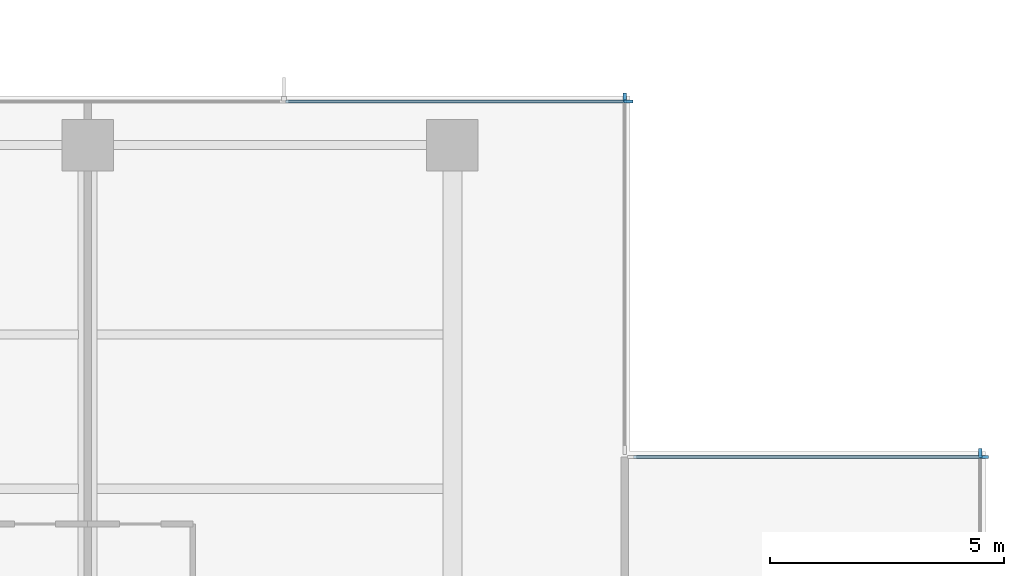
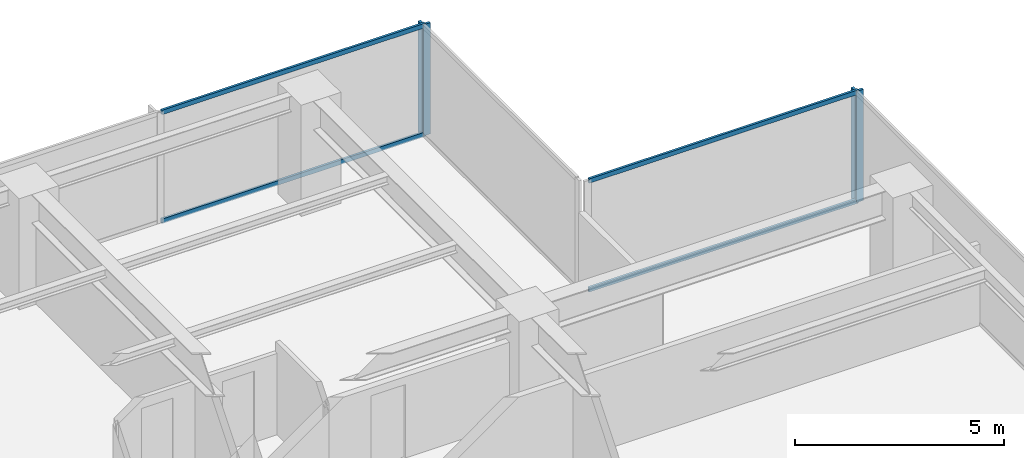
# One storey, part 5 of 15: 8 members, 4 elements without a shape of their own.
"""IFC4 building model written with IfcOpenShell, lengths in metres."""

import ifcopenshell
import ifcopenshell.guid

model = None  # the IFC model being written
_history = None  # IfcOwnerHistory: only IFC2X3 demands one
_inside = {}  # id of a spatial element -> (the spatial element, [elements in it])
_under = {}  # id of a project, library or spatial element -> (it, [spatial elements below it])
_declared = {}  # id of a project -> (the project, [libraries it declares])
_typed = {}  # id of a type object -> (the type object, [elements of that type])
_made_of = {}  # id of a material, layer set ... -> (it, [elements and type objects made of it])


def new_model(schema):
    """Start an empty IFC model of exactly this schema.

    Asked for "IFC4X3", IfcOpenShell would pick the latest addendum, in which some entities
    have other attributes; the version numbers below select the first issue.
    IFC2X3 requires an IfcOwnerHistory on every rooted entity: one is made here for all.
    """
    global model, _history
    if schema == "IFC4X3":
        model = ifcopenshell.file(schema_version=(4, 3, 0, 0))
    else:
        model = ifcopenshell.file(schema=schema)
    _inside.clear()
    _under.clear()
    _declared.clear()
    _typed.clear()
    _made_of.clear()
    _history = None
    if model.schema == "IFC2X3":
        org = make("IfcOrganization", Name="unknown")
        user = make(
            "IfcPersonAndOrganization",
            ThePerson=make("IfcPerson", FamilyName="unknown"),
            TheOrganization=org,
        )
        app = make(
            "IfcApplication",
            ApplicationDeveloper=org,
            Version="unknown",
            ApplicationFullName="unknown",
            ApplicationIdentifier="unknown",
        )
        _history = make(
            "IfcOwnerHistory",
            OwningUser=user,
            OwningApplication=app,
            ChangeAction="ADDED",
            CreationDate=0,
        )
    return model


def make(cls, **values):
    """One entity of the class cls with the attributes given. An attribute that is None is left unset."""
    return model.create_entity(
        cls, **{name: value for name, value in values.items() if value is not None}
    )


def rooted(cls, **values):
    """An entity with a GlobalId (a new one), such as an element, a storey or a relation."""
    return make(cls, GlobalId=ifcopenshell.guid.new(), OwnerHistory=_history, **values)


def si_unit(unit_type, name, prefix=None):
    """IfcSIUnit, for example si_unit("LENGTHUNIT", "METRE", prefix="MILLI")."""
    return make("IfcSIUnit", UnitType=unit_type, Prefix=prefix, Name=name)


def assignment(units):
    """IfcUnitAssignment: the units of a project."""
    return None if units is None else make("IfcUnitAssignment", Units=units)


def point(xyz):
    """IfcCartesianPoint."""
    return None if xyz is None else make("IfcCartesianPoint", Coordinates=xyz)


def direction(xyz):
    """IfcDirection."""
    return None if xyz is None else make("IfcDirection", DirectionRatios=xyz)


def frame(location, z_axis=None, x_axis=None):
    """IfcAxis2Placement3D, a coordinate frame: its origin and axes. An axis left out is left unset."""
    return make(
        "IfcAxis2Placement3D",
        Location=point(location),
        Axis=direction(z_axis),
        RefDirection=direction(x_axis),
    )


def frame_2d(location, x_axis=None):
    """IfcAxis2Placement2D, a coordinate frame in the plane: its origin and x axis."""
    return make(
        "IfcAxis2Placement2D", Location=point(location), RefDirection=direction(x_axis)
    )


def origin():
    """The frame at (0, 0, 0) with its axes left unset."""
    return frame((0.0, 0.0, 0.0))


def origin_2d():
    """The frame at (0, 0) in the plane with its x axis left unset."""
    return frame_2d((0.0, 0.0))


def place(relative_to, where):
    """IfcLocalPlacement: puts the frame where relative to a parent placement (None: the world)."""
    return make(
        "IfcLocalPlacement", PlacementRelTo=relative_to, RelativePlacement=where
    )


def context(
    kind, dimensions, precision=None, world=None, true_north=None, identifier=None
):
    """IfcGeometricRepresentationContext, for example the 3D "Model" context."""
    return make(
        "IfcGeometricRepresentationContext",
        ContextIdentifier=identifier,
        ContextType=kind,
        CoordinateSpaceDimension=dimensions,
        Precision=precision,
        WorldCoordinateSystem=world,
        TrueNorth=true_north,
    )


def subcontext(parent, identifier, kind, view, scale=None):
    """IfcGeometricRepresentationSubContext, for example "Body" below "Model"."""
    return make(
        "IfcGeometricRepresentationSubContext",
        ContextIdentifier=identifier,
        ContextType=kind,
        ParentContext=parent,
        TargetScale=scale,
        TargetView=view,
    )


def project(units=None, contexts=None):
    """IfcProject with its units and contexts."""
    return rooted(
        "IfcProject",
        Name="project",
        RepresentationContexts=contexts,
        UnitsInContext=assignment(units),
    )


def spatial(cls, under=None, at=None, **own):
    """A site, building, storey or space (cls), placed at a placement, below another one or the project."""
    s = rooted(cls, ObjectPlacement=at, **own)
    if under is not None:
        _under.setdefault(under.id(), (under, []))[1].append(s)
    return s


def profile(cls, at=None, kind="AREA", **sizes):
    """A parametric profile (cls). Its sizes go by their IFC names, for example OverallWidth=200.0."""
    return make(cls, ProfileType=kind, Position=at, **sizes)


def rectangle(**sizes):
    """IfcRectangleProfileDef."""
    return profile("IfcRectangleProfileDef", **sizes)


def extrude(swept, where, along, depth):
    """IfcExtrudedAreaSolid: the profile swept, set in the frame where, extruded along a direction by depth."""
    return make(
        "IfcExtrudedAreaSolid",
        SweptArea=swept,
        Position=where,
        ExtrudedDirection=direction(along),
        Depth=depth,
    )


def shape(context_of_items, identifier, shape_type, items):
    """IfcShapeRepresentation: the items that make up one representation, for example the "Body"."""
    return make(
        "IfcShapeRepresentation",
        ContextOfItems=context_of_items,
        RepresentationIdentifier=identifier,
        RepresentationType=shape_type,
        Items=items,
    )


def material(Name=None, Category=None):
    """IfcMaterial."""
    return make("IfcMaterial", Name=Name, Category=Category)


def layer(
    of_material, thickness, ventilated=None, Name=None, Category=None, Priority=None
):
    """IfcMaterialLayer: one layer of a wall or slab, of a material (None: an air gap)."""
    return make(
        "IfcMaterialLayer",
        Material=of_material,
        LayerThickness=thickness,
        IsVentilated=ventilated,
        Name=Name,
        Category=Category,
        Priority=Priority,
    )


def layer_set(layers, Name=None):
    """IfcMaterialLayerSet."""
    return make("IfcMaterialLayerSet", MaterialLayers=layers, LayerSetName=Name)


def material_profile(
    of_material, cross_section, Name=None, Category=None, Priority=None
):
    """IfcMaterialProfile: a cross section and its material."""
    return make(
        "IfcMaterialProfile",
        Name=Name,
        Material=of_material,
        Profile=cross_section,
        Priority=Priority,
        Category=Category,
    )


def profile_set(profiles, Name=None, composite=None):
    """IfcMaterialProfileSet."""
    return make(
        "IfcMaterialProfileSet",
        Name=Name,
        MaterialProfiles=profiles,
        CompositeProfile=composite,
    )


def made_of(thing, what):
    """Note that an element or type object is made of a material, layer set ...; save() writes the relation."""
    if what is not None:
        _made_of.setdefault(what.id(), (what, []))[1].append(thing)
    return thing


def type_object(cls, material=None, **own):
    """A type object (cls), such as IfcWallType, which elements share."""
    return made_of(rooted(cls, **own), material)


def element(
    cls,
    number,
    at=None,
    inside=None,
    cuts=None,
    type_object=None,
    material=None,
    context=None,
    identifier="Body",
    shape_type=None,
    held_by="IfcProductDefinitionShape",
    body=None,
    shapes=None,
    **own,
):
    """One element of the class cls, such as IfcWall. Its Tag is "e" and its number.

    at: its placement. inside: the storey or other place that contains it. cuts: it is an
    opening in that element (IfcRelVoidsElement). A single representation is given by context,
    identifier, shape_type and body (its items); several are given by shapes. held_by: the class
    of the entity that holds the representations. save() writes the other relations.
    """
    e = rooted(cls, Tag="e%d" % number, ObjectPlacement=at, **own)
    if body is not None:
        shapes = [shape(context, identifier, shape_type, body)]
    if shapes is not None:
        e.Representation = make(held_by, Representations=shapes)
    if inside is not None:
        _inside.setdefault(inside.id(), (inside, []))[1].append(e)
    if cuts is not None:
        rooted(
            "IfcRelVoidsElement", RelatingBuildingElement=cuts, RelatedOpeningElement=e
        )
    if type_object is not None:
        _typed.setdefault(type_object.id(), (type_object, []))[1].append(e)
    return made_of(e, material)


def aggregate(whole, parts):
    """IfcRelAggregates: a whole, such as a stair, and the parts it consists of."""
    return rooted("IfcRelAggregates", RelatingObject=whole, RelatedObjects=parts)


def save(model, path):
    """Write the relations noted so far, then the file.

    IfcRelAggregates (storeys below a building ...), IfcRelContainedInSpatialStructure (elements
    in a storey), IfcRelDefinesByType, IfcRelAssociatesMaterial and IfcRelDeclares: one each for
    every whole, place, type object, material and project.
    """
    for whole, parts in _under.values():
        aggregate(whole, parts)
    for where, things in _inside.values():
        rooted(
            "IfcRelContainedInSpatialStructure",
            RelatedElements=things,
            RelatingStructure=where,
        )
    for kind, things in _typed.values():
        rooted("IfcRelDefinesByType", RelatedObjects=things, RelatingType=kind)
    for what, things in _made_of.values():
        rooted("IfcRelAssociatesMaterial", RelatedObjects=things, RelatingMaterial=what)
    for by, libraries in _declared.values():
        rooted("IfcRelDeclares", RelatingContext=by, RelatedDefinitions=libraries)
    model.write(path)


model = new_model("IFC4")

# Units and contexts
model_context = context("Model", 3, precision=1e-05, world=origin(), true_north=direction((0.0, 1.0)))
body_context = subcontext(model_context, "Body", "Model", "MODEL_VIEW")
ifc_project = project(units=[si_unit("LENGTHUNIT", "METRE"), si_unit("AREAUNIT", "SQUARE_METRE"), si_unit("VOLUMEUNIT", "CUBIC_METRE"), si_unit("PLANEANGLEUNIT", "RADIAN"), si_unit("MASSUNIT", "GRAM", prefix="KILO")], contexts=[model_context])

# Site, building, storey
site_placement = place(None, origin())
site = spatial("IfcSite", under=ifc_project, at=site_placement, CompositionType="ELEMENT")
building_placement = place(site_placement, origin())
building = spatial("IfcBuilding", under=site, at=building_placement, Name="Qalmaran Belvedere Hotel", CompositionType="ELEMENT")
storey_placement = place(building_placement, frame((0.0, 0.0, 159.60009765625)))
storey = spatial("IfcBuildingStorey", under=building, at=storey_placement, Name="L40", CompositionType="ELEMENT", Elevation=159.60009765625)

# Curtain wall, member
ifc_material = material(Name="Anodised Bronze Aluminium", Category="aluminium")
ifc_layer = layer(ifc_material, 0.195068359375, Name="Anodised Bronze Aluminium")
ifc_layer_set = layer_set([ifc_layer], Name="Anodised Bronze Aluminium")
curtain_wall_type = type_object("IfcCurtainWallType", Name="CW4-TOWER-HIGHMID", PredefinedType="NOTDEFINED", material=ifc_layer_set)
curtain_wall_1_placement = place(storey_placement, origin())
curtain_wall_1 = element("IfcCurtainWall", 1, at=curtain_wall_1_placement, inside=storey, type_object=curtain_wall_type, Name="L40 Curtain Wall CW4", PredefinedType="NOTDEFINED")
ifc_material_profile_1 = material_profile(ifc_material, rectangle(XDim=0.070068359375, YDim=0.18994140625, at=origin_2d()), Name="CWM70X190")
ifc_profile_set_1 = profile_set([ifc_material_profile_1], Name="Anodised Bronze Aluminium")
member_type_1 = type_object("IfcMemberType", Name="CWM-70X190", PredefinedType="MULLION", material=ifc_profile_set_1)
member_1_placement = place(storey_placement, frame((56.080078125, 36.864990234375, 0.0), z_axis=(0.0, 0.0, 1.0), x_axis=(-1.0, 0.0, 0.0)))
member_1 = element("IfcMember", 2, at=member_1_placement, type_object=member_type_1, Name="CW4 mullion 4", PredefinedType="MULLION", context=body_context, shape_type="SweptSolid", body=[
    extrude(rectangle(XDim=0.070068359375, YDim=0.18994140625, at=origin_2d()), origin(), (0.0, 0.0, 1.0), 3.25),
])
aggregate(curtain_wall_1, [member_1])

curtain_wall_2_placement = place(storey_placement, origin())
curtain_wall_2 = element("IfcCurtainWall", 3, at=curtain_wall_2_placement, inside=storey, type_object=curtain_wall_type, Name="L40 Curtain Wall CW4", PredefinedType="NOTDEFINED")
member_2_placement = place(storey_placement, frame((56.1650390625, 36.780029296875, 0.0), z_axis=(0.0, 0.0, 1.0), x_axis=(0.0, -1.0, 0.0)))
member_2 = element("IfcMember", 4, at=member_2_placement, type_object=member_type_1, Name="CW4 mullion 1", PredefinedType="MULLION", context=body_context, shape_type="SweptSolid", body=[
    extrude(rectangle(XDim=0.070068359375, YDim=0.18994140625, at=origin_2d()), origin(), (0.0, 0.0, 1.0), 3.25),
])

curtain_wall_3_placement = place(storey_placement, origin())
curtain_wall_3 = element("IfcCurtainWall", 5, at=curtain_wall_3_placement, inside=storey, type_object=curtain_wall_type, Name="L40 Curtain Wall CW4", PredefinedType="NOTDEFINED")
member_3_placement = place(storey_placement, frame((48.47998046875, 44.465087890625, 0.0), z_axis=(0.0, 0.0, 1.0), x_axis=(-1.0, 0.0, 0.0)))
member_3 = element("IfcMember", 6, at=member_3_placement, type_object=member_type_1, Name="CW4 mullion 2", PredefinedType="MULLION", context=body_context, shape_type="SweptSolid", body=[
    extrude(rectangle(XDim=0.070068359375, YDim=0.18994140625, at=origin_2d()), origin(), (0.0, 0.0, 1.0), 3.25),
])
aggregate(curtain_wall_3, [member_3])

curtain_wall_4_placement = place(storey_placement, origin())
curtain_wall_4 = element("IfcCurtainWall", 7, at=curtain_wall_4_placement, inside=storey, type_object=curtain_wall_type, Name="L40 Curtain Wall CW4", PredefinedType="NOTDEFINED")
member_4_placement = place(storey_placement, frame((48.56494140625, 44.3798828125, 0.0), z_axis=(0.0, 0.0, 1.0), x_axis=(0.0, -1.0, 0.0)))
member_4 = element("IfcMember", 8, at=member_4_placement, type_object=member_type_1, Name="CW4 mullion 1", PredefinedType="MULLION", context=body_context, shape_type="SweptSolid", body=[
    extrude(rectangle(XDim=0.070068359375, YDim=0.18994140625, at=origin_2d()), origin(), (0.0, 0.0, 1.0), 3.25),
])

# Member
ifc_material_profile_2 = material_profile(ifc_material, rectangle(XDim=0.06494140625, YDim=0.1298828125, at=origin_2d()), Name="CWT65X130")
ifc_profile_set_2 = profile_set([ifc_material_profile_2], Name="Anodised Bronze Aluminium")
member_type_2 = type_object("IfcMemberType", Name="CWT-65X130", PredefinedType="USERDEFINED", material=ifc_profile_set_2)
member_5_placement = place(storey_placement, frame((56.1298828125, 36.780029296875, 0.032470703125), z_axis=(-1.0, 0.0, 0.0), x_axis=(0.0, -1.0, 0.0)))
member_5 = element("IfcMember", 9, at=member_5_placement, type_object=member_type_2, Name="CW4 transom 1.1", ObjectType="TRANSOM", PredefinedType="USERDEFINED", context=body_context, shape_type="SweptSolid", body=[
    extrude(rectangle(XDim=0.06494140625, YDim=0.1298828125, at=origin_2d()), origin(), (0.0, 0.0, 1.0), 7.4599609375),
])

member_6_placement = place(storey_placement, frame((56.1298828125, 36.780029296875, 3.21728515625), z_axis=(-1.0, 0.0, 0.0), x_axis=(0.0, -1.0, 0.0)))
member_6 = element("IfcMember", 10, at=member_6_placement, type_object=member_type_2, Name="CW4 transom 1.2", ObjectType="TRANSOM", PredefinedType="USERDEFINED", context=body_context, shape_type="SweptSolid", body=[
    extrude(rectangle(XDim=0.06494140625, YDim=0.1298828125, at=origin_2d()), origin(), (0.0, 0.0, 1.0), 7.4599609375),
])

aggregate(curtain_wall_2, [member_2, member_5, member_6])

member_7_placement = place(storey_placement, frame((48.530029296875, 44.3798828125, 0.032470703125), z_axis=(-1.0, 0.0, 0.0), x_axis=(0.0, -1.0, 0.0)))
member_7 = element("IfcMember", 11, at=member_7_placement, type_object=member_type_2, Name="CW4 transom 1.1", ObjectType="TRANSOM", PredefinedType="USERDEFINED", context=body_context, shape_type="SweptSolid", body=[
    extrude(rectangle(XDim=0.06494140625, YDim=0.1298828125, at=origin_2d()), origin(), (0.0, 0.0, 1.0), 7.294921875),
])

member_8_placement = place(storey_placement, frame((48.530029296875, 44.3798828125, 3.21728515625), z_axis=(-1.0, 0.0, 0.0), x_axis=(0.0, -1.0, 0.0)))
member_8 = element("IfcMember", 12, at=member_8_placement, type_object=member_type_2, Name="CW4 transom 1.2", ObjectType="TRANSOM", PredefinedType="USERDEFINED", context=body_context, shape_type="SweptSolid", body=[
    extrude(rectangle(XDim=0.06494140625, YDim=0.1298828125, at=origin_2d()), origin(), (0.0, 0.0, 1.0), 7.294921875),
])

aggregate(curtain_wall_4, [member_4, member_7, member_8])

save(model, "model.ifc")
